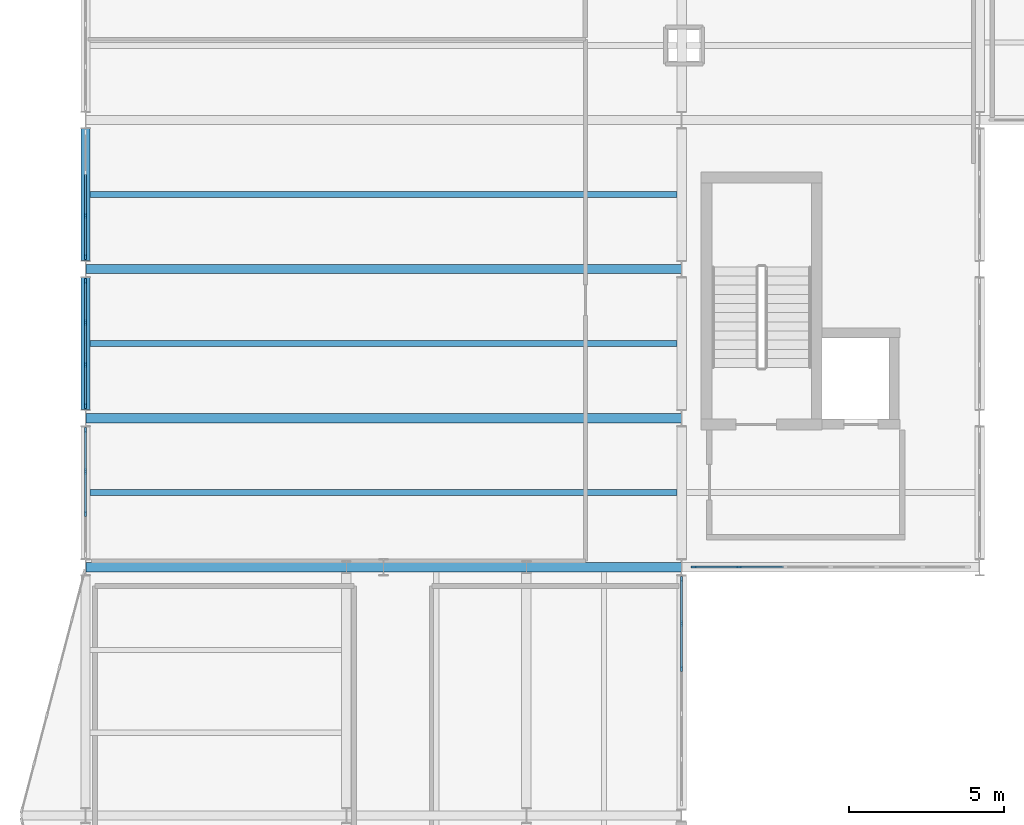
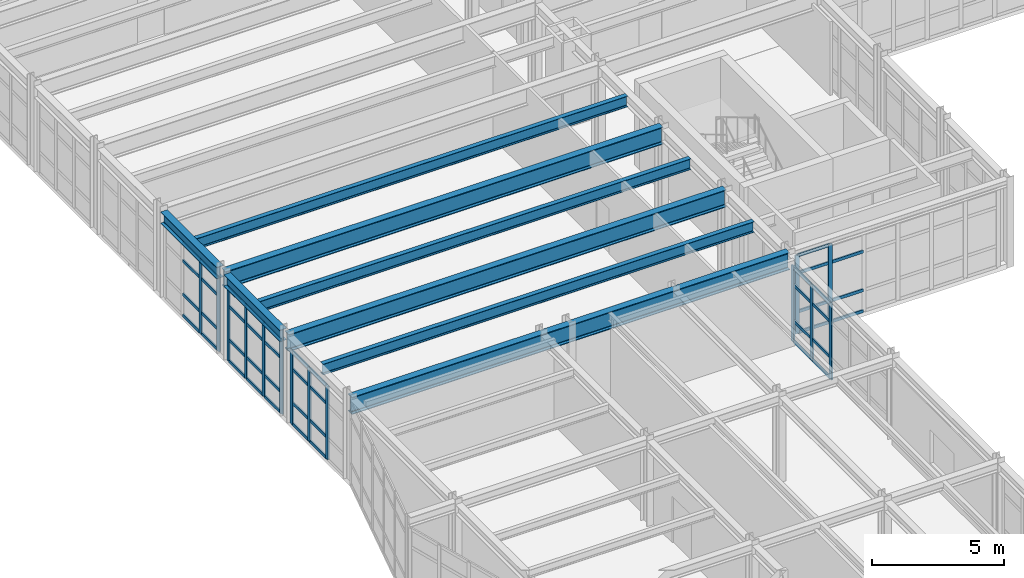
# One storey, part 28 of 88: 57 members, 8 beams, 5 elements without a shape of their own.
"""IFC4 building model written with IfcOpenShell, lengths in metres."""

from ifc_helpers import new_model, si_unit, direction, frame, origin, origin_2d, place, context, subcontext, project, spatial, rectangle, i_section, extrude, material, layer, layer_set, material_profile, profile_set, type_object, element, aggregate, save


model = new_model("IFC4")

# Units and contexts
model_context = context("Model", 3, precision=1e-05, world=origin(), true_north=direction((0.0, 1.0)))
body_context = subcontext(model_context, "Body", "Model", "MODEL_VIEW")
ifc_project = project(units=[si_unit("LENGTHUNIT", "METRE"), si_unit("AREAUNIT", "SQUARE_METRE"), si_unit("VOLUMEUNIT", "CUBIC_METRE"), si_unit("PLANEANGLEUNIT", "RADIAN"), si_unit("MASSUNIT", "GRAM", prefix="KILO")], contexts=[model_context])

# Site, building, storey
site_placement = place(None, origin())
site = spatial("IfcSite", under=ifc_project, at=site_placement, CompositionType="ELEMENT")
building_placement = place(site_placement, origin())
building = spatial("IfcBuilding", under=site, at=building_placement, Name="Nordkorset Police Headquarters", CompositionType="ELEMENT")
storey_placement = place(building_placement, frame((0.0, 0.0, 9.449951171875)))
storey = spatial("IfcBuildingStorey", under=building, at=storey_placement, Name="L02", CompositionType="ELEMENT", Elevation=9.449951171875)

# Beams
ifc_material_1 = material(Name="Steel S355J2", Category="steel")
ifc_material_profile_1 = material_profile(ifc_material_1, i_section(OverallWidth=0.199951171875, OverallDepth=0.5, WebThickness=0.01025390625, FlangeThickness=0.01611328125, FilletRadius=0.02099609375, at=origin_2d()), Name="IPE 500")
ifc_profile_set_1 = profile_set([ifc_material_profile_1], Name="Steel S355J2")
beam_type_1 = type_object("IfcBeamType", Name="Beam_IPE_500", PredefinedType="BEAM", material=ifc_profile_set_1)
for number, where, z_axis, x_axis, name in (
    (1, (0.14990234375, 85.60009765625, 3.719970703125), (1.0, 0.0, 0.0), (0.0, 1.0, 0.0), "Composite Floor Beam V1 L02 0-0-1"),
    (2, (0.14990234375, 90.39990234375, 3.719970703125), (1.0, 0.0, 0.0), (0.0, 1.0, 0.0), "Composite Floor Beam V1 L02 0-1-1"),
    (3, (0.14990234375, 95.199951171875, 3.719970703125), (1.0, 0.0, 0.0), (0.0, 1.0, 0.0), "Composite Floor Beam V1 L02 0-2-1"),
):
    element("IfcBeam", number, at=place(storey_placement, frame(where, z_axis=z_axis, x_axis=x_axis)), inside=storey, type_object=beam_type_1, Name=name, PredefinedType="BEAM", context=body_context, shape_type="SweptSolid", body=[
        extrude(i_section(OverallWidth=0.199951171875, OverallDepth=0.5, WebThickness=0.01025390625, FlangeThickness=0.01611328125, FilletRadius=0.02099609375, at=origin_2d()), origin(), (0.0, 0.0, 1.0), 18.900146484375),
    ])

# Curtain wall, members
ifc_material_2 = material(Name="Aluminium alloy AW-6060", Category="aluminium")
ifc_layer_1 = layer(ifc_material_2, 0.179931640625, Name="Aluminium alloy AW-6060")
ifc_layer_set_1 = layer_set([ifc_layer_1], Name="Aluminium alloy AW-6060")
curtain_wall_type_1 = type_object("IfcCurtainWallType", Name="CW_Unit_408x341", PredefinedType="USERDEFINED", material=ifc_layer_set_1)
curtain_wall_1_placement = place(storey_placement, origin())
curtain_wall_1 = element("IfcCurtainWall", 4, at=curtain_wall_1_placement, inside=storey, type_object=curtain_wall_type_1, Name="Unitised Curtain Wall L02 V1W-0", ObjectType="UNITISED CURTAIN WALL", PredefinedType="USERDEFINED")
ifc_material_3 = material(Name="Aluminium alloy AW-6060", Category="aluminium")
ifc_material_profile_2 = material_profile(ifc_material_3, rectangle(XDim=0.06494140625, YDim=0.179931640625, at=origin_2d()), Name="ALU MULL 65x180")
ifc_profile_set_2 = profile_set([ifc_material_profile_2], Name="Aluminium alloy AW-6060")
member_type_1 = type_object("IfcMemberType", Name="CW_Mullion_65x180", PredefinedType="MULLION", material=ifc_profile_set_2)
member_1_placement = place(storey_placement, frame((0.0, 84.919921875, 0.0), z_axis=(0.0, 0.0, 1.0), x_axis=(-1.0, 0.0, 0.0)))
member_1 = element("IfcMember", 5, at=member_1_placement, type_object=member_type_1, Name="CW-40 mullion 2", PredefinedType="MULLION", context=body_context, shape_type="SweptSolid", body=[
    extrude(rectangle(XDim=0.06494140625, YDim=0.179931640625, at=origin_2d()), origin(), (0.0, 0.0, 1.0), 3.41015625),
])
member_2_placement = place(storey_placement, frame((0.0, 86.280029296875, 0.0), z_axis=(0.0, 0.0, 1.0), x_axis=(-1.0, 0.0, 0.0)))
member_2 = element("IfcMember", 6, at=member_2_placement, type_object=member_type_1, Name="CW-40 mullion 3", PredefinedType="MULLION", context=body_context, shape_type="SweptSolid", body=[
    extrude(rectangle(XDim=0.06494140625, YDim=0.179931640625, at=origin_2d()), origin(), (0.0, 0.0, 1.0), 3.41015625),
])
member_3_placement = place(storey_placement, frame((0.0, 87.607421875, 0.0), z_axis=(0.0, 0.0, 1.0), x_axis=(-1.0, 0.0, 0.0)))
member_3 = element("IfcMember", 7, at=member_3_placement, type_object=member_type_1, Name="CW-40 mullion 4", PredefinedType="MULLION", context=body_context, shape_type="SweptSolid", body=[
    extrude(rectangle(XDim=0.06494140625, YDim=0.179931640625, at=origin_2d()), origin(), (0.0, 0.0, 1.0), 3.41015625),
])

curtain_wall_2_placement = place(storey_placement, origin())
curtain_wall_2 = element("IfcCurtainWall", 8, at=curtain_wall_2_placement, inside=storey, type_object=curtain_wall_type_1, Name="Unitised Curtain Wall L02 V1W-1", ObjectType="UNITISED CURTAIN WALL", PredefinedType="USERDEFINED")
member_4_placement = place(storey_placement, frame((0.0, 88.392578125, 0.0), z_axis=(0.0, 0.0, 1.0), x_axis=(-1.0, 0.0, 0.0)))
member_4 = element("IfcMember", 9, at=member_4_placement, type_object=member_type_1, Name="CW-40 mullion 1", PredefinedType="MULLION", context=body_context, shape_type="SweptSolid", body=[
    extrude(rectangle(XDim=0.06494140625, YDim=0.179931640625, at=origin_2d()), origin(), (0.0, 0.0, 1.0), 3.41015625),
])
member_5_placement = place(storey_placement, frame((0.0, 89.719970703125, 0.0), z_axis=(0.0, 0.0, 1.0), x_axis=(-1.0, 0.0, 0.0)))
member_5 = element("IfcMember", 10, at=member_5_placement, type_object=member_type_1, Name="CW-40 mullion 2", PredefinedType="MULLION", context=body_context, shape_type="SweptSolid", body=[
    extrude(rectangle(XDim=0.06494140625, YDim=0.179931640625, at=origin_2d()), origin(), (0.0, 0.0, 1.0), 3.41015625),
])
member_6_placement = place(storey_placement, frame((0.0, 91.080078125, 0.0), z_axis=(0.0, 0.0, 1.0), x_axis=(-1.0, 0.0, 0.0)))
member_6 = element("IfcMember", 11, at=member_6_placement, type_object=member_type_1, Name="CW-40 mullion 3", PredefinedType="MULLION", context=body_context, shape_type="SweptSolid", body=[
    extrude(rectangle(XDim=0.06494140625, YDim=0.179931640625, at=origin_2d()), origin(), (0.0, 0.0, 1.0), 3.41015625),
])
member_7_placement = place(storey_placement, frame((0.0, 92.407470703125, 0.0), z_axis=(0.0, 0.0, 1.0), x_axis=(-1.0, 0.0, 0.0)))
member_7 = element("IfcMember", 12, at=member_7_placement, type_object=member_type_1, Name="CW-40 mullion 4", PredefinedType="MULLION", context=body_context, shape_type="SweptSolid", body=[
    extrude(rectangle(XDim=0.06494140625, YDim=0.179931640625, at=origin_2d()), origin(), (0.0, 0.0, 1.0), 3.41015625),
])

curtain_wall_3_placement = place(storey_placement, origin())
curtain_wall_3 = element("IfcCurtainWall", 13, at=curtain_wall_3_placement, inside=storey, type_object=curtain_wall_type_1, Name="Unitised Curtain Wall L02 V1W-2", ObjectType="UNITISED CURTAIN WALL", PredefinedType="USERDEFINED")
member_8_placement = place(storey_placement, frame((0.0, 93.1923828125, 0.0), z_axis=(0.0, 0.0, 1.0), x_axis=(-1.0, 0.0, 0.0)))
member_8 = element("IfcMember", 14, at=member_8_placement, type_object=member_type_1, Name="CW-40 mullion 1", PredefinedType="MULLION", context=body_context, shape_type="SweptSolid", body=[
    extrude(rectangle(XDim=0.06494140625, YDim=0.179931640625, at=origin_2d()), origin(), (0.0, 0.0, 1.0), 3.41015625),
])
member_9_placement = place(storey_placement, frame((0.0, 94.52001953125, 0.0), z_axis=(0.0, 0.0, 1.0), x_axis=(-1.0, 0.0, 0.0)))
member_9 = element("IfcMember", 15, at=member_9_placement, type_object=member_type_1, Name="CW-40 mullion 2", PredefinedType="MULLION", context=body_context, shape_type="SweptSolid", body=[
    extrude(rectangle(XDim=0.06494140625, YDim=0.179931640625, at=origin_2d()), origin(), (0.0, 0.0, 1.0), 3.41015625),
])

ifc_material_4 = material(Name="Aluminium alloy AW-6060", Category="aluminium")
ifc_layer_2 = layer(ifc_material_4, 0.179931640625, Name="Aluminium alloy AW-6060")
ifc_layer_set_2 = layer_set([ifc_layer_2], Name="Aluminium alloy AW-6060")
curtain_wall_type_2 = type_object("IfcCurtainWallType", Name="CW_Unit_888x364", PredefinedType="USERDEFINED", material=ifc_layer_set_2)
curtain_wall_4_placement = place(storey_placement, origin())
curtain_wall_4 = element("IfcCurtainWall", 16, at=curtain_wall_4_placement, inside=storey, type_object=curtain_wall_type_2, Name="Unitised Curtain Wall L02 V1S-2", ObjectType="UNITISED CURTAIN WALL", PredefinedType="USERDEFINED")
member_10_placement = place(storey_placement, frame((19.592529296875, 83.199951171875, 0.0), z_axis=(0.0, 0.0, 1.0), x_axis=(0.0, 1.0, 0.0)))
member_10 = element("IfcMember", 17, at=member_10_placement, type_object=member_type_1, Name="CW-53 mullion 1", PredefinedType="MULLION", context=body_context, shape_type="SweptSolid", body=[
    extrude(rectangle(XDim=0.06494140625, YDim=0.179931640625, at=origin_2d()), origin(), (0.0, 0.0, 1.0), 3.64013671875),
])
member_11_placement = place(storey_placement, frame((21.0400390625, 83.199951171875, 0.0), z_axis=(0.0, 0.0, 1.0), x_axis=(0.0, 1.0, 0.0)))
member_11 = element("IfcMember", 18, at=member_11_placement, type_object=member_type_1, Name="CW-53 mullion 2", PredefinedType="MULLION", context=body_context, shape_type="SweptSolid", body=[
    extrude(rectangle(XDim=0.06494140625, YDim=0.179931640625, at=origin_2d()), origin(), (0.0, 0.0, 1.0), 3.64013671875),
])

ifc_material_5 = material(Name="Aluminium alloy AW-6060", Category="aluminium")
ifc_layer_3 = layer(ifc_material_5, 0.179931640625, Name="Aluminium alloy AW-6060")
ifc_layer_set_3 = layer_set([ifc_layer_3], Name="Aluminium alloy AW-6060")
curtain_wall_type_3 = type_object("IfcCurtainWallType", Name="CW_Unit_728x351", PredefinedType="USERDEFINED", material=ifc_layer_set_3)
curtain_wall_5_placement = place(storey_placement, origin())
curtain_wall_5 = element("IfcCurtainWall", 19, at=curtain_wall_5_placement, inside=storey, type_object=curtain_wall_type_3, Name="Unitised Curtain Wall L02 V3E-5", ObjectType="UNITISED CURTAIN WALL", PredefinedType="USERDEFINED")
member_12_placement = place(storey_placement, frame((19.199951171875, 79.927978515625, 0.0), z_axis=(0.0, 0.0, 1.0), x_axis=(-1.0, 0.0, 0.0)))
member_12 = element("IfcMember", 20, at=member_12_placement, type_object=member_type_1, Name="CW-86 mullion 4", PredefinedType="MULLION", context=body_context, shape_type="SweptSolid", body=[
    extrude(rectangle(XDim=0.06494140625, YDim=0.179931640625, at=origin_2d()), origin(), (0.0, 0.0, 1.0), 3.510009765625),
])
member_13_placement = place(storey_placement, frame((19.199951171875, 81.384033203125, 0.0), z_axis=(0.0, 0.0, 1.0), x_axis=(-1.0, 0.0, 0.0)))
member_13 = element("IfcMember", 21, at=member_13_placement, type_object=member_type_1, Name="CW-86 mullion 5", PredefinedType="MULLION", context=body_context, shape_type="SweptSolid", body=[
    extrude(rectangle(XDim=0.06494140625, YDim=0.179931640625, at=origin_2d()), origin(), (0.0, 0.0, 1.0), 3.510009765625),
])
member_14_placement = place(storey_placement, frame((19.199951171875, 82.8076171875, 0.0), z_axis=(0.0, 0.0, 1.0), x_axis=(-1.0, 0.0, 0.0)))
member_14 = element("IfcMember", 22, at=member_14_placement, type_object=member_type_1, Name="CW-86 mullion 6", PredefinedType="MULLION", context=body_context, shape_type="SweptSolid", body=[
    extrude(rectangle(XDim=0.06494140625, YDim=0.179931640625, at=origin_2d()), origin(), (0.0, 0.0, 1.0), 3.510009765625),
])

# Member
ifc_material_6 = material(Name="Aluminium alloy AW-6060", Category="aluminium")
ifc_material_profile_3 = material_profile(ifc_material_6, rectangle(XDim=0.06494140625, YDim=0.139892578125, at=origin_2d()), Name="ALU TRAN 65x140")
ifc_profile_set_3 = profile_set([ifc_material_profile_3], Name="Aluminium alloy AW-6060")
member_type_2 = type_object("IfcMemberType", Name="CW_Transom_65x140", PredefinedType="USERDEFINED", material=ifc_profile_set_3)
member_15_placement = place(storey_placement, frame((0.0, 84.952392578125, 0.032470703125), z_axis=(0.0, 1.0, 0.0), x_axis=(-1.0, 0.0, 0.0)))
member_15 = element("IfcMember", 23, at=member_15_placement, type_object=member_type_2, Name="CW-40 transom 2.1", ObjectType="TRANSOM", PredefinedType="USERDEFINED", context=body_context, shape_type="SweptSolid", body=[
    extrude(rectangle(XDim=0.06494140625, YDim=0.139892578125, at=origin_2d()), origin(), (0.0, 0.0, 1.0), 1.295166015625),
])

member_16_placement = place(storey_placement, frame((0.0, 84.952392578125, 1.0), z_axis=(0.0, 1.0, 0.0), x_axis=(-1.0, 0.0, 0.0)))
member_16 = element("IfcMember", 24, at=member_16_placement, type_object=member_type_2, Name="CW-40 transom 2.2", ObjectType="TRANSOM", PredefinedType="USERDEFINED", context=body_context, shape_type="SweptSolid", body=[
    extrude(rectangle(XDim=0.06494140625, YDim=0.139892578125, at=origin_2d()), origin(), (0.0, 0.0, 1.0), 1.295166015625),
])

member_17_placement = place(storey_placement, frame((0.0, 84.952392578125, 2.56005859375), z_axis=(0.0, 1.0, 0.0), x_axis=(-1.0, 0.0, 0.0)))
member_17 = element("IfcMember", 25, at=member_17_placement, type_object=member_type_2, Name="CW-40 transom 2.3", ObjectType="TRANSOM", PredefinedType="USERDEFINED", context=body_context, shape_type="SweptSolid", body=[
    extrude(rectangle(XDim=0.06494140625, YDim=0.139892578125, at=origin_2d()), origin(), (0.0, 0.0, 1.0), 1.295166015625),
])

member_18_placement = place(storey_placement, frame((0.0, 84.952392578125, 3.37744140625), z_axis=(0.0, 1.0, 0.0), x_axis=(-1.0, 0.0, 0.0)))
member_18 = element("IfcMember", 26, at=member_18_placement, type_object=member_type_2, Name="CW-40 transom 2.4", ObjectType="TRANSOM", PredefinedType="USERDEFINED", context=body_context, shape_type="SweptSolid", body=[
    extrude(rectangle(XDim=0.06494140625, YDim=0.139892578125, at=origin_2d()), origin(), (0.0, 0.0, 1.0), 1.295166015625),
])

member_19_placement = place(storey_placement, frame((0.0, 86.3125, 0.032470703125), z_axis=(0.0, 1.0, 0.0), x_axis=(-1.0, 0.0, 0.0)))
member_19 = element("IfcMember", 27, at=member_19_placement, type_object=member_type_2, Name="CW-40 transom 3.1", ObjectType="TRANSOM", PredefinedType="USERDEFINED", context=body_context, shape_type="SweptSolid", body=[
    extrude(rectangle(XDim=0.06494140625, YDim=0.139892578125, at=origin_2d()), origin(), (0.0, 0.0, 1.0), 1.262451171875),
])

member_20_placement = place(storey_placement, frame((0.0, 86.3125, 1.0), z_axis=(0.0, 1.0, 0.0), x_axis=(-1.0, 0.0, 0.0)))
member_20 = element("IfcMember", 28, at=member_20_placement, type_object=member_type_2, Name="CW-40 transom 3.2", ObjectType="TRANSOM", PredefinedType="USERDEFINED", context=body_context, shape_type="SweptSolid", body=[
    extrude(rectangle(XDim=0.06494140625, YDim=0.139892578125, at=origin_2d()), origin(), (0.0, 0.0, 1.0), 1.262451171875),
])

member_21_placement = place(storey_placement, frame((0.0, 86.3125, 2.56005859375), z_axis=(0.0, 1.0, 0.0), x_axis=(-1.0, 0.0, 0.0)))
member_21 = element("IfcMember", 29, at=member_21_placement, type_object=member_type_2, Name="CW-40 transom 3.3", ObjectType="TRANSOM", PredefinedType="USERDEFINED", context=body_context, shape_type="SweptSolid", body=[
    extrude(rectangle(XDim=0.06494140625, YDim=0.139892578125, at=origin_2d()), origin(), (0.0, 0.0, 1.0), 1.262451171875),
])

member_22_placement = place(storey_placement, frame((0.0, 86.3125, 3.37744140625), z_axis=(0.0, 1.0, 0.0), x_axis=(-1.0, 0.0, 0.0)))
member_22 = element("IfcMember", 30, at=member_22_placement, type_object=member_type_2, Name="CW-40 transom 3.4", ObjectType="TRANSOM", PredefinedType="USERDEFINED", context=body_context, shape_type="SweptSolid", body=[
    extrude(rectangle(XDim=0.06494140625, YDim=0.139892578125, at=origin_2d()), origin(), (0.0, 0.0, 1.0), 1.262451171875),
])

aggregate(curtain_wall_1, [member_1, member_2, member_3, member_15, member_16, member_17, member_18, member_19, member_20, member_21, member_22])

member_23_placement = place(storey_placement, frame((0.0, 88.425048828125, 0.032470703125), z_axis=(0.0, 1.0, 0.0), x_axis=(-1.0, 0.0, 0.0)))
member_23 = element("IfcMember", 31, at=member_23_placement, type_object=member_type_2, Name="CW-40 transom 1.1", ObjectType="TRANSOM", PredefinedType="USERDEFINED", context=body_context, shape_type="SweptSolid", body=[
    extrude(rectangle(XDim=0.06494140625, YDim=0.139892578125, at=origin_2d()), origin(), (0.0, 0.0, 1.0), 1.262451171875),
])

member_24_placement = place(storey_placement, frame((0.0, 88.425048828125, 1.0), z_axis=(0.0, 1.0, 0.0), x_axis=(-1.0, 0.0, 0.0)))
member_24 = element("IfcMember", 32, at=member_24_placement, type_object=member_type_2, Name="CW-40 transom 1.2", ObjectType="TRANSOM", PredefinedType="USERDEFINED", context=body_context, shape_type="SweptSolid", body=[
    extrude(rectangle(XDim=0.06494140625, YDim=0.139892578125, at=origin_2d()), origin(), (0.0, 0.0, 1.0), 1.262451171875),
])

member_25_placement = place(storey_placement, frame((0.0, 88.425048828125, 2.56005859375), z_axis=(0.0, 1.0, 0.0), x_axis=(-1.0, 0.0, 0.0)))
member_25 = element("IfcMember", 33, at=member_25_placement, type_object=member_type_2, Name="CW-40 transom 1.3", ObjectType="TRANSOM", PredefinedType="USERDEFINED", context=body_context, shape_type="SweptSolid", body=[
    extrude(rectangle(XDim=0.06494140625, YDim=0.139892578125, at=origin_2d()), origin(), (0.0, 0.0, 1.0), 1.262451171875),
])

member_26_placement = place(storey_placement, frame((0.0, 88.425048828125, 3.37744140625), z_axis=(0.0, 1.0, 0.0), x_axis=(-1.0, 0.0, 0.0)))
member_26 = element("IfcMember", 34, at=member_26_placement, type_object=member_type_2, Name="CW-40 transom 1.4", ObjectType="TRANSOM", PredefinedType="USERDEFINED", context=body_context, shape_type="SweptSolid", body=[
    extrude(rectangle(XDim=0.06494140625, YDim=0.139892578125, at=origin_2d()), origin(), (0.0, 0.0, 1.0), 1.262451171875),
])

member_27_placement = place(storey_placement, frame((0.0, 89.75244140625, 0.032470703125), z_axis=(0.0, 1.0, 0.0), x_axis=(-1.0, 0.0, 0.0)))
member_27 = element("IfcMember", 35, at=member_27_placement, type_object=member_type_2, Name="CW-40 transom 2.1", ObjectType="TRANSOM", PredefinedType="USERDEFINED", context=body_context, shape_type="SweptSolid", body=[
    extrude(rectangle(XDim=0.06494140625, YDim=0.139892578125, at=origin_2d()), origin(), (0.0, 0.0, 1.0), 1.295166015625),
])

member_28_placement = place(storey_placement, frame((0.0, 89.75244140625, 1.0), z_axis=(0.0, 1.0, 0.0), x_axis=(-1.0, 0.0, 0.0)))
member_28 = element("IfcMember", 36, at=member_28_placement, type_object=member_type_2, Name="CW-40 transom 2.2", ObjectType="TRANSOM", PredefinedType="USERDEFINED", context=body_context, shape_type="SweptSolid", body=[
    extrude(rectangle(XDim=0.06494140625, YDim=0.139892578125, at=origin_2d()), origin(), (0.0, 0.0, 1.0), 1.295166015625),
])

member_29_placement = place(storey_placement, frame((0.0, 89.75244140625, 2.56005859375), z_axis=(0.0, 1.0, 0.0), x_axis=(-1.0, 0.0, 0.0)))
member_29 = element("IfcMember", 37, at=member_29_placement, type_object=member_type_2, Name="CW-40 transom 2.3", ObjectType="TRANSOM", PredefinedType="USERDEFINED", context=body_context, shape_type="SweptSolid", body=[
    extrude(rectangle(XDim=0.06494140625, YDim=0.139892578125, at=origin_2d()), origin(), (0.0, 0.0, 1.0), 1.295166015625),
])

member_30_placement = place(storey_placement, frame((0.0, 89.75244140625, 3.37744140625), z_axis=(0.0, 1.0, 0.0), x_axis=(-1.0, 0.0, 0.0)))
member_30 = element("IfcMember", 38, at=member_30_placement, type_object=member_type_2, Name="CW-40 transom 2.4", ObjectType="TRANSOM", PredefinedType="USERDEFINED", context=body_context, shape_type="SweptSolid", body=[
    extrude(rectangle(XDim=0.06494140625, YDim=0.139892578125, at=origin_2d()), origin(), (0.0, 0.0, 1.0), 1.295166015625),
])

member_31_placement = place(storey_placement, frame((0.0, 91.112548828125, 0.032470703125), z_axis=(0.0, 1.0, 0.0), x_axis=(-1.0, 0.0, 0.0)))
member_31 = element("IfcMember", 39, at=member_31_placement, type_object=member_type_2, Name="CW-40 transom 3.1", ObjectType="TRANSOM", PredefinedType="USERDEFINED", context=body_context, shape_type="SweptSolid", body=[
    extrude(rectangle(XDim=0.06494140625, YDim=0.139892578125, at=origin_2d()), origin(), (0.0, 0.0, 1.0), 1.262451171875),
])

member_32_placement = place(storey_placement, frame((0.0, 91.112548828125, 1.0), z_axis=(0.0, 1.0, 0.0), x_axis=(-1.0, 0.0, 0.0)))
member_32 = element("IfcMember", 40, at=member_32_placement, type_object=member_type_2, Name="CW-40 transom 3.2", ObjectType="TRANSOM", PredefinedType="USERDEFINED", context=body_context, shape_type="SweptSolid", body=[
    extrude(rectangle(XDim=0.06494140625, YDim=0.139892578125, at=origin_2d()), origin(), (0.0, 0.0, 1.0), 1.262451171875),
])

member_33_placement = place(storey_placement, frame((0.0, 91.112548828125, 2.56005859375), z_axis=(0.0, 1.0, 0.0), x_axis=(-1.0, 0.0, 0.0)))
member_33 = element("IfcMember", 41, at=member_33_placement, type_object=member_type_2, Name="CW-40 transom 3.3", ObjectType="TRANSOM", PredefinedType="USERDEFINED", context=body_context, shape_type="SweptSolid", body=[
    extrude(rectangle(XDim=0.06494140625, YDim=0.139892578125, at=origin_2d()), origin(), (0.0, 0.0, 1.0), 1.262451171875),
])

member_34_placement = place(storey_placement, frame((0.0, 91.112548828125, 3.37744140625), z_axis=(0.0, 1.0, 0.0), x_axis=(-1.0, 0.0, 0.0)))
member_34 = element("IfcMember", 42, at=member_34_placement, type_object=member_type_2, Name="CW-40 transom 3.4", ObjectType="TRANSOM", PredefinedType="USERDEFINED", context=body_context, shape_type="SweptSolid", body=[
    extrude(rectangle(XDim=0.06494140625, YDim=0.139892578125, at=origin_2d()), origin(), (0.0, 0.0, 1.0), 1.262451171875),
])

aggregate(curtain_wall_2, [member_4, member_5, member_6, member_7, member_23, member_24, member_25, member_26, member_27, member_28, member_29, member_30, member_31, member_32, member_33, member_34])

member_35_placement = place(storey_placement, frame((0.0, 93.22509765625, 0.032470703125), z_axis=(0.0, 1.0, 0.0), x_axis=(-1.0, 0.0, 0.0)))
member_35 = element("IfcMember", 43, at=member_35_placement, type_object=member_type_2, Name="CW-40 transom 1.1", ObjectType="TRANSOM", PredefinedType="USERDEFINED", context=body_context, shape_type="SweptSolid", body=[
    extrude(rectangle(XDim=0.06494140625, YDim=0.139892578125, at=origin_2d()), origin(), (0.0, 0.0, 1.0), 1.262451171875),
])

member_36_placement = place(storey_placement, frame((0.0, 93.22509765625, 1.0), z_axis=(0.0, 1.0, 0.0), x_axis=(-1.0, 0.0, 0.0)))
member_36 = element("IfcMember", 44, at=member_36_placement, type_object=member_type_2, Name="CW-40 transom 1.2", ObjectType="TRANSOM", PredefinedType="USERDEFINED", context=body_context, shape_type="SweptSolid", body=[
    extrude(rectangle(XDim=0.06494140625, YDim=0.139892578125, at=origin_2d()), origin(), (0.0, 0.0, 1.0), 1.262451171875),
])

member_37_placement = place(storey_placement, frame((0.0, 93.22509765625, 2.56005859375), z_axis=(0.0, 1.0, 0.0), x_axis=(-1.0, 0.0, 0.0)))
member_37 = element("IfcMember", 45, at=member_37_placement, type_object=member_type_2, Name="CW-40 transom 1.3", ObjectType="TRANSOM", PredefinedType="USERDEFINED", context=body_context, shape_type="SweptSolid", body=[
    extrude(rectangle(XDim=0.06494140625, YDim=0.139892578125, at=origin_2d()), origin(), (0.0, 0.0, 1.0), 1.262451171875),
])

member_38_placement = place(storey_placement, frame((0.0, 93.22509765625, 3.37744140625), z_axis=(0.0, 1.0, 0.0), x_axis=(-1.0, 0.0, 0.0)))
member_38 = element("IfcMember", 46, at=member_38_placement, type_object=member_type_2, Name="CW-40 transom 1.4", ObjectType="TRANSOM", PredefinedType="USERDEFINED", context=body_context, shape_type="SweptSolid", body=[
    extrude(rectangle(XDim=0.06494140625, YDim=0.139892578125, at=origin_2d()), origin(), (0.0, 0.0, 1.0), 1.262451171875),
])

member_39_placement = place(storey_placement, frame((0.0, 94.552490234375, 0.032470703125), z_axis=(0.0, 1.0, 0.0), x_axis=(-1.0, 0.0, 0.0)))
member_39 = element("IfcMember", 47, at=member_39_placement, type_object=member_type_2, Name="CW-40 transom 2.1", ObjectType="TRANSOM", PredefinedType="USERDEFINED", context=body_context, shape_type="SweptSolid", body=[
    extrude(rectangle(XDim=0.06494140625, YDim=0.139892578125, at=origin_2d()), origin(), (0.0, 0.0, 1.0), 1.294921875),
])

member_40_placement = place(storey_placement, frame((0.0, 94.552490234375, 1.0), z_axis=(0.0, 1.0, 0.0), x_axis=(-1.0, 0.0, 0.0)))
member_40 = element("IfcMember", 48, at=member_40_placement, type_object=member_type_2, Name="CW-40 transom 2.2", ObjectType="TRANSOM", PredefinedType="USERDEFINED", context=body_context, shape_type="SweptSolid", body=[
    extrude(rectangle(XDim=0.06494140625, YDim=0.139892578125, at=origin_2d()), origin(), (0.0, 0.0, 1.0), 1.294921875),
])

member_41_placement = place(storey_placement, frame((0.0, 94.552490234375, 2.56005859375), z_axis=(0.0, 1.0, 0.0), x_axis=(-1.0, 0.0, 0.0)))
member_41 = element("IfcMember", 49, at=member_41_placement, type_object=member_type_2, Name="CW-40 transom 2.3", ObjectType="TRANSOM", PredefinedType="USERDEFINED", context=body_context, shape_type="SweptSolid", body=[
    extrude(rectangle(XDim=0.06494140625, YDim=0.139892578125, at=origin_2d()), origin(), (0.0, 0.0, 1.0), 1.294921875),
])

member_42_placement = place(storey_placement, frame((0.0, 94.552490234375, 3.37744140625), z_axis=(0.0, 1.0, 0.0), x_axis=(-1.0, 0.0, 0.0)))
member_42 = element("IfcMember", 50, at=member_42_placement, type_object=member_type_2, Name="CW-40 transom 2.4", ObjectType="TRANSOM", PredefinedType="USERDEFINED", context=body_context, shape_type="SweptSolid", body=[
    extrude(rectangle(XDim=0.06494140625, YDim=0.139892578125, at=origin_2d()), origin(), (0.0, 0.0, 1.0), 1.294921875),
])

aggregate(curtain_wall_3, [member_8, member_9, member_35, member_36, member_37, member_38, member_39, member_40, member_41, member_42])

member_43_placement = place(storey_placement, frame((19.625, 83.199951171875, 0.032470703125), z_axis=(1.0, 0.0, 0.0), x_axis=(0.0, 1.0, 0.0)))
member_43 = element("IfcMember", 51, at=member_43_placement, type_object=member_type_2, Name="CW-53 transom 1.1", ObjectType="TRANSOM", PredefinedType="USERDEFINED", context=body_context, shape_type="SweptSolid", body=[
    extrude(rectangle(XDim=0.06494140625, YDim=0.139892578125, at=origin_2d()), origin(), (0.0, 0.0, 1.0), 1.382568359375),
])

member_44_placement = place(storey_placement, frame((19.625, 83.199951171875, 1.0), z_axis=(1.0, 0.0, 0.0), x_axis=(0.0, 1.0, 0.0)))
member_44 = element("IfcMember", 52, at=member_44_placement, type_object=member_type_2, Name="CW-53 transom 1.2", ObjectType="TRANSOM", PredefinedType="USERDEFINED", context=body_context, shape_type="SweptSolid", body=[
    extrude(rectangle(XDim=0.06494140625, YDim=0.139892578125, at=origin_2d()), origin(), (0.0, 0.0, 1.0), 1.382568359375),
])

member_45_placement = place(storey_placement, frame((19.625, 83.199951171875, 2.7900390625), z_axis=(1.0, 0.0, 0.0), x_axis=(0.0, 1.0, 0.0)))
member_45 = element("IfcMember", 53, at=member_45_placement, type_object=member_type_2, Name="CW-53 transom 1.3", ObjectType="TRANSOM", PredefinedType="USERDEFINED", context=body_context, shape_type="SweptSolid", body=[
    extrude(rectangle(XDim=0.06494140625, YDim=0.139892578125, at=origin_2d()), origin(), (0.0, 0.0, 1.0), 1.382568359375),
])

member_46_placement = place(storey_placement, frame((19.625, 83.199951171875, 3.607666015625), z_axis=(1.0, 0.0, 0.0), x_axis=(0.0, 1.0, 0.0)))
member_46 = element("IfcMember", 54, at=member_46_placement, type_object=member_type_2, Name="CW-53 transom 1.4", ObjectType="TRANSOM", PredefinedType="USERDEFINED", context=body_context, shape_type="SweptSolid", body=[
    extrude(rectangle(XDim=0.06494140625, YDim=0.139892578125, at=origin_2d()), origin(), (0.0, 0.0, 1.0), 1.382568359375),
])

member_47_placement = place(storey_placement, frame((21.072509765625, 83.199951171875, 0.032470703125), z_axis=(1.0, 0.0, 0.0), x_axis=(0.0, 1.0, 0.0)))
member_47 = element("IfcMember", 55, at=member_47_placement, type_object=member_type_2, Name="CW-53 transom 2.1", ObjectType="TRANSOM", PredefinedType="USERDEFINED", context=body_context, shape_type="SweptSolid", body=[
    extrude(rectangle(XDim=0.06494140625, YDim=0.139892578125, at=origin_2d()), origin(), (0.0, 0.0, 1.0), 1.4150390625),
])

member_48_placement = place(storey_placement, frame((21.072509765625, 83.199951171875, 1.0), z_axis=(1.0, 0.0, 0.0), x_axis=(0.0, 1.0, 0.0)))
member_48 = element("IfcMember", 56, at=member_48_placement, type_object=member_type_2, Name="CW-53 transom 2.2", ObjectType="TRANSOM", PredefinedType="USERDEFINED", context=body_context, shape_type="SweptSolid", body=[
    extrude(rectangle(XDim=0.06494140625, YDim=0.139892578125, at=origin_2d()), origin(), (0.0, 0.0, 1.0), 1.4150390625),
])

member_49_placement = place(storey_placement, frame((21.072509765625, 83.199951171875, 2.7900390625), z_axis=(1.0, 0.0, 0.0), x_axis=(0.0, 1.0, 0.0)))
member_49 = element("IfcMember", 57, at=member_49_placement, type_object=member_type_2, Name="CW-53 transom 2.3", ObjectType="TRANSOM", PredefinedType="USERDEFINED", context=body_context, shape_type="SweptSolid", body=[
    extrude(rectangle(XDim=0.06494140625, YDim=0.139892578125, at=origin_2d()), origin(), (0.0, 0.0, 1.0), 1.4150390625),
])

aggregate(curtain_wall_4, [member_10, member_11, member_43, member_44, member_45, member_46, member_47, member_48, member_49])

member_50_placement = place(storey_placement, frame((19.199951171875, 79.96044921875, 0.032470703125), z_axis=(0.0, 1.0, 0.0), x_axis=(-1.0, 0.0, 0.0)))
member_50 = element("IfcMember", 58, at=member_50_placement, type_object=member_type_2, Name="CW-86 transom 4.1", ObjectType="TRANSOM", PredefinedType="USERDEFINED", context=body_context, shape_type="SweptSolid", body=[
    extrude(rectangle(XDim=0.06494140625, YDim=0.139892578125, at=origin_2d()), origin(), (0.0, 0.0, 1.0), 1.39111328125),
])

member_51_placement = place(storey_placement, frame((19.199951171875, 79.96044921875, 1.0), z_axis=(0.0, 1.0, 0.0), x_axis=(-1.0, 0.0, 0.0)))
member_51 = element("IfcMember", 59, at=member_51_placement, type_object=member_type_2, Name="CW-86 transom 4.2", ObjectType="TRANSOM", PredefinedType="USERDEFINED", context=body_context, shape_type="SweptSolid", body=[
    extrude(rectangle(XDim=0.06494140625, YDim=0.139892578125, at=origin_2d()), origin(), (0.0, 0.0, 1.0), 1.39111328125),
])

member_52_placement = place(storey_placement, frame((19.199951171875, 79.96044921875, 2.66015625), z_axis=(0.0, 1.0, 0.0), x_axis=(-1.0, 0.0, 0.0)))
member_52 = element("IfcMember", 60, at=member_52_placement, type_object=member_type_2, Name="CW-86 transom 4.3", ObjectType="TRANSOM", PredefinedType="USERDEFINED", context=body_context, shape_type="SweptSolid", body=[
    extrude(rectangle(XDim=0.06494140625, YDim=0.139892578125, at=origin_2d()), origin(), (0.0, 0.0, 1.0), 1.39111328125),
])

member_53_placement = place(storey_placement, frame((19.199951171875, 79.96044921875, 3.4775390625), z_axis=(0.0, 1.0, 0.0), x_axis=(-1.0, 0.0, 0.0)))
member_53 = element("IfcMember", 61, at=member_53_placement, type_object=member_type_2, Name="CW-86 transom 4.4", ObjectType="TRANSOM", PredefinedType="USERDEFINED", context=body_context, shape_type="SweptSolid", body=[
    extrude(rectangle(XDim=0.06494140625, YDim=0.139892578125, at=origin_2d()), origin(), (0.0, 0.0, 1.0), 1.39111328125),
])

member_54_placement = place(storey_placement, frame((19.199951171875, 81.41650390625, 0.032470703125), z_axis=(0.0, 1.0, 0.0), x_axis=(-1.0, 0.0, 0.0)))
member_54 = element("IfcMember", 62, at=member_54_placement, type_object=member_type_2, Name="CW-86 transom 5.1", ObjectType="TRANSOM", PredefinedType="USERDEFINED", context=body_context, shape_type="SweptSolid", body=[
    extrude(rectangle(XDim=0.06494140625, YDim=0.139892578125, at=origin_2d()), origin(), (0.0, 0.0, 1.0), 1.3583984375),
])

member_55_placement = place(storey_placement, frame((19.199951171875, 81.41650390625, 1.0), z_axis=(0.0, 1.0, 0.0), x_axis=(-1.0, 0.0, 0.0)))
member_55 = element("IfcMember", 63, at=member_55_placement, type_object=member_type_2, Name="CW-86 transom 5.2", ObjectType="TRANSOM", PredefinedType="USERDEFINED", context=body_context, shape_type="SweptSolid", body=[
    extrude(rectangle(XDim=0.06494140625, YDim=0.139892578125, at=origin_2d()), origin(), (0.0, 0.0, 1.0), 1.3583984375),
])

member_56_placement = place(storey_placement, frame((19.199951171875, 81.41650390625, 2.66015625), z_axis=(0.0, 1.0, 0.0), x_axis=(-1.0, 0.0, 0.0)))
member_56 = element("IfcMember", 64, at=member_56_placement, type_object=member_type_2, Name="CW-86 transom 5.3", ObjectType="TRANSOM", PredefinedType="USERDEFINED", context=body_context, shape_type="SweptSolid", body=[
    extrude(rectangle(XDim=0.06494140625, YDim=0.139892578125, at=origin_2d()), origin(), (0.0, 0.0, 1.0), 1.3583984375),
])

member_57_placement = place(storey_placement, frame((19.199951171875, 81.41650390625, 3.4775390625), z_axis=(0.0, 1.0, 0.0), x_axis=(-1.0, 0.0, 0.0)))
member_57 = element("IfcMember", 65, at=member_57_placement, type_object=member_type_2, Name="CW-86 transom 5.4", ObjectType="TRANSOM", PredefinedType="USERDEFINED", context=body_context, shape_type="SweptSolid", body=[
    extrude(rectangle(XDim=0.06494140625, YDim=0.139892578125, at=origin_2d()), origin(), (0.0, 0.0, 1.0), 1.3583984375),
])

aggregate(curtain_wall_5, [member_12, member_13, member_14, member_50, member_51, member_52, member_53, member_54, member_55, member_56, member_57])

# Beams
ifc_material_7 = material(Name="Steel S355J2", Category="steel")
ifc_material_profile_4 = material_profile(ifc_material_7, i_section(OverallWidth=0.300048828125, OverallDepth=0.5400390625, WebThickness=0.012451171875, FlangeThickness=0.02392578125, FilletRadius=0.027099609375, at=origin_2d()), Name="HEA 550")
ifc_profile_set_4 = profile_set([ifc_material_profile_4], Name="Steel S355J2")
beam_type_2 = type_object("IfcBeamType", Name="Girder_HEA_550", PredefinedType="USERDEFINED", material=ifc_profile_set_4)
for number, where, z_axis, x_axis, name in (
    (66, (0.0, 88.27490234375, 3.699951171875), (0.0, 1.0, 0.0), (-1.0, 0.0, 0.0), "Girder V1 L02 GY-0-1"),
    (67, (0.0, 93.074951171875, 3.699951171875), (0.0, 1.0, 0.0), (-1.0, 0.0, 0.0), "Girder V1 L02 GY-0-2"),
):
    element("IfcBeam", number, at=place(storey_placement, frame(where, z_axis=z_axis, x_axis=x_axis)), inside=storey, type_object=beam_type_2, Name=name, ObjectType="GIRDER", PredefinedType="USERDEFINED", context=body_context, shape_type="SweptSolid", body=[
        extrude(i_section(OverallWidth=0.300048828125, OverallDepth=0.5400390625, WebThickness=0.012451171875, FlangeThickness=0.02392578125, FilletRadius=0.027099609375, at=origin_2d()), origin(), (0.0, 0.0, 1.0), 4.25),
    ])
ifc_material_8 = material(Name="Steel S355J2", Category="steel")
ifc_material_profile_5 = material_profile(ifc_material_8, i_section(OverallWidth=0.300048828125, OverallDepth=0.800048828125, WebThickness=0.017578125, FlangeThickness=0.032958984375, FilletRadius=0.030029296875, at=origin_2d()), Name="HEB 800")
ifc_profile_set_5 = profile_set([ifc_material_profile_5], Name="Steel S355J2")
beam_type_3 = type_object("IfcBeamType", Name="Girder_HEB_800", PredefinedType="USERDEFINED", material=ifc_profile_set_5)
for number, where, z_axis, x_axis, name in (
    (68, (0.007568359375, 83.199951171875, 3.570068359375), (1.0, 0.0, 0.0), (0.0, 1.0, 0.0), "Girder V1 L02 GX-0-0"),
    (69, (0.007568359375, 88.0, 3.570068359375), (1.0, 0.0, 0.0), (0.0, 1.0, 0.0), "Girder V1 L02 GX-1-0"),
    (70, (0.007568359375, 92.800048828125, 3.570068359375), (1.0, 0.0, 0.0), (0.0, 1.0, 0.0), "Girder V1 L02 GX-2-0"),
):
    element("IfcBeam", number, at=place(storey_placement, frame(where, z_axis=z_axis, x_axis=x_axis)), inside=storey, type_object=beam_type_3, Name=name, ObjectType="GIRDER", PredefinedType="USERDEFINED", context=body_context, shape_type="SweptSolid", body=[
        extrude(i_section(OverallWidth=0.300048828125, OverallDepth=0.800048828125, WebThickness=0.017578125, FlangeThickness=0.032958984375, FilletRadius=0.030029296875, at=origin_2d()), origin(), (0.0, 0.0, 1.0), 19.184814453125),
    ])

save(model, "model.ifc")
